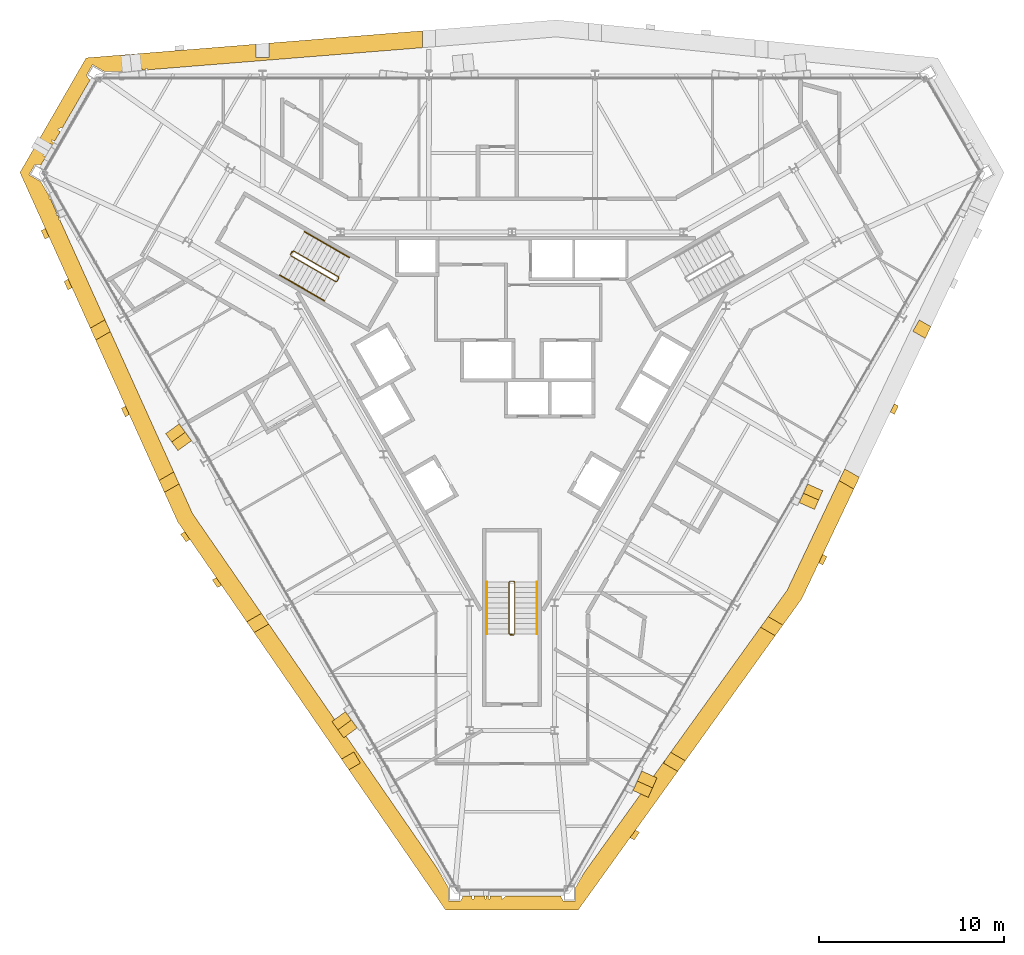
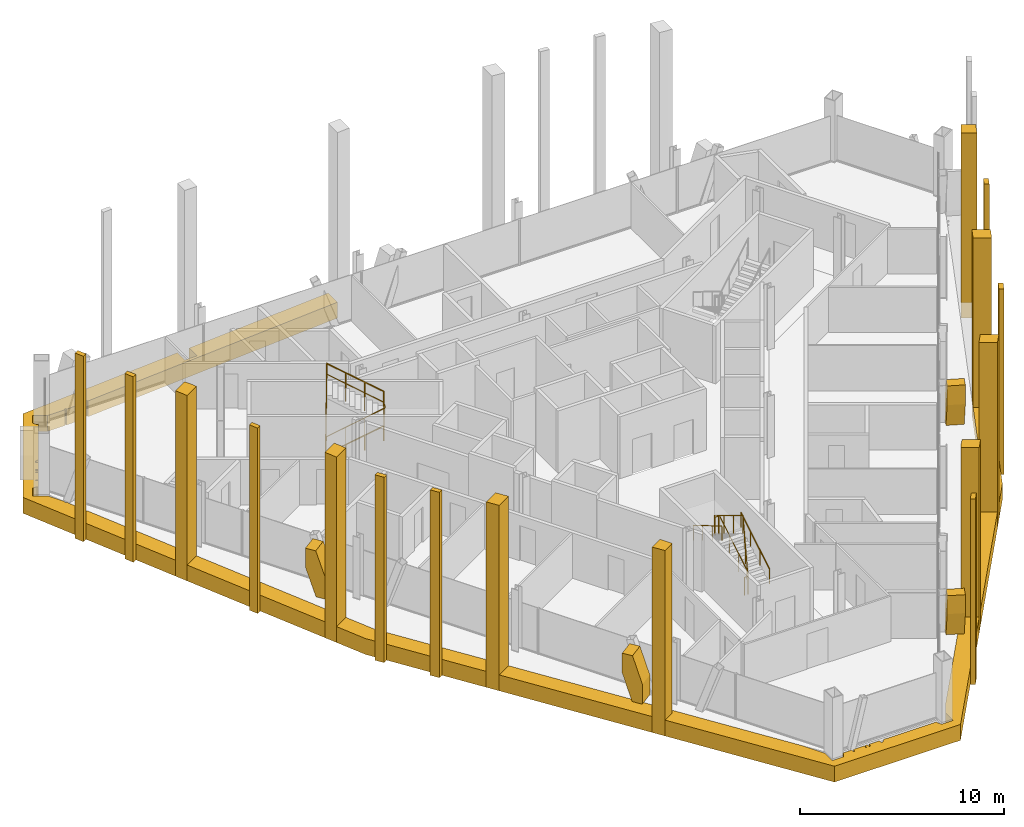
# One storey, part 15 of 16: 26 coverings, 6 railings.
"""IFC4 building model written with IfcOpenShell, lengths in metres."""

from ifc_helpers import new_model, si_unit, direction, frame, origin, origin_2d, place, context, subcontext, project, spatial, polyline, circle, outline, extrude, material, layer, layer_set, type_object, element, save


model = new_model("IFC4")

# Units and contexts
model_context = context("Model", 3, precision=1e-05, world=origin(), true_north=direction((0.0, 1.0)))
body_context = subcontext(model_context, "Body", "Model", "MODEL_VIEW")
ifc_project = project(units=[si_unit("LENGTHUNIT", "METRE"), si_unit("AREAUNIT", "SQUARE_METRE"), si_unit("VOLUMEUNIT", "CUBIC_METRE"), si_unit("PLANEANGLEUNIT", "RADIAN"), si_unit("MASSUNIT", "GRAM", prefix="KILO")], contexts=[model_context])

# Site, building, storey
site_placement = place(None, origin())
site = spatial("IfcSite", under=ifc_project, at=site_placement, CompositionType="ELEMENT")
building_placement = place(site_placement, origin())
building = spatial("IfcBuilding", under=site, at=building_placement, Name="Verrane Prism Tower", CompositionType="ELEMENT")
storey_placement = place(building_placement, frame((0.0, 0.0, 236.0)))
storey = spatial("IfcBuildingStorey", under=building, at=storey_placement, Name="L59", CompositionType="ELEMENT", Elevation=236.0)

# Railings
ifc_material_1 = material(Name="Steel A36 rail and posts, no infill", Category="steel")
railing_type_1 = type_object("IfcRailingType", Name="Stair guard 1100 steel rail and posts", PredefinedType="GUARDRAIL", material=ifc_material_1)
railing_1_placement = place(storey_placement, frame((-11.939453125, 6.72021484375, 0.168212890625)))
element("IfcRailing", 1, at=railing_1_placement, inside=storey, type_object=railing_type_1, Name="Stair 2 guard", PredefinedType="GUARDRAIL", context=body_context, shape_type="SweptSolid", body=[
    extrude(circle(Radius=0.02392578125, at=origin_2d()), frame((0.0, 0.0, 1.076171875), z_axis=(0.742366697286, -0.42866220388, 0.514917859203), x_axis=(0.500049511043, 0.865996816683, 0.0)), (0.0, 0.0, 1.0), 3.266357421875),
    extrude(circle(Radius=0.02392578125, at=origin_2d()), frame((2.4248046875, -1.400146484375, 2.7578125), z_axis=(0.965948051503, 0.258736085224, 0.0), x_axis=(-0.258736085224, 0.965948051503, 0.0)), (0.0, 0.0, 1.0), 0.07080078125),
    extrude(circle(Radius=0.02392578125, at=origin_2d()), frame((2.4931640625, -1.3818359375, 2.7578125), z_axis=(0.499158860599, 0.866510491504, 0.0), x_axis=(-0.866510491504, 0.499158860599, 0.0)), (0.0, 0.0, 1.0), 0.199951171875),
    extrude(circle(Radius=0.02392578125, at=origin_2d()), frame((2.593017578125, -1.20849609375, 2.7578125), z_axis=(-0.10050964758, 0.373895888998, 0.922008500467), x_axis=(-0.965715946433, -0.259601060869, 0.0)), (0.0, 0.0, 1.0), 0.18212890625),
    extrude(circle(Radius=0.02392578125, at=origin_2d()), frame((2.57470703125, -1.140380859375, 2.92578125), z_axis=(-0.742366697286, 0.42866220388, 0.514917859203), x_axis=(-0.500049511043, -0.865996816683, 0.0)), (0.0, 0.0, 1.0), 3.266357421875),
    extrude(circle(Radius=0.02392578125, at=origin_2d()), frame((0.14990234375, 0.259765625, 4.60791015625), z_axis=(-0.04535595117, -0.051675503147, -0.99763343973), x_axis=(0.751567565678, -0.659656118156, 0.0)), (0.0, 0.0, 1.0), 3.708740234375),
    extrude(circle(Radius=0.02392578125, at=origin_2d()), frame((-0.018310546875, 0.068115234375, 0.90771484375), z_axis=(0.499158860599, 0.866510491504, 0.0), x_axis=(-0.866510491504, 0.499158860599, 0.0)), (0.0, 0.0, 1.0), 0.199951171875),
    extrude(circle(Radius=0.02099609375, at=origin_2d()), origin(), (0.0, 0.0, 1.0), 1.052001953125),
    extrude(circle(Radius=0.02099609375, at=origin_2d()), frame((0.808349609375, -0.466796875, 0.560546875)), (0.0, 0.0, 1.0), 1.052001953125),
    extrude(circle(Radius=0.02099609375, at=origin_2d()), frame((1.616455078125, -0.933349609375, 1.121337890625)), (0.0, 0.0, 1.0), 1.052001953125),
    extrude(circle(Radius=0.02099609375, at=origin_2d()), frame((2.4248046875, -1.400146484375, 1.681884765625)), (0.0, 0.0, 1.0), 1.052001953125),
    extrude(circle(Radius=0.02099609375, at=origin_2d()), frame((2.4931640625, -1.3818359375, 1.681884765625)), (0.0, 0.0, 1.0), 1.052001953125),
    extrude(circle(Radius=0.02099609375, at=origin_2d()), frame((2.593017578125, -1.20849609375, 1.681884765625)), (0.0, 0.0, 1.0), 1.052001953125),
    extrude(circle(Radius=0.02099609375, at=origin_2d()), frame((2.57470703125, -1.140380859375, 1.849853515625)), (0.0, 0.0, 1.0), 1.052001953125),
    extrude(circle(Radius=0.02099609375, at=origin_2d()), frame((1.766357421875, -0.673583984375, 2.410400390625)), (0.0, 0.0, 1.0), 1.052001953125),
    extrude(circle(Radius=0.02099609375, at=origin_2d()), frame((0.958251953125, -0.20703125, 2.97119140625)), (0.0, 0.0, 1.0), 1.052001953125),
    extrude(circle(Radius=0.02099609375, at=origin_2d()), frame((0.14990234375, 0.259765625, 3.53173828125)), (0.0, 0.0, 1.0), 1.052001953125),
    extrude(circle(Radius=0.02099609375, at=origin_2d()), frame((0.10791015625, 0.2119140625, 2.606689453125)), (0.0, 0.0, 1.0), 1.052001953125),
    extrude(circle(Radius=0.02099609375, at=origin_2d()), frame((0.06591796875, 0.1640625, 1.681640625)), (0.0, 0.0, 1.0), 1.052001953125),
    extrude(circle(Radius=0.02099609375, at=origin_2d()), frame((0.023681640625, 0.115966796875, 0.7568359375)), (0.0, 0.0, 1.0), 1.052001953125),
    extrude(circle(Radius=0.02099609375, at=origin_2d()), frame((-0.018310546875, 0.068115234375, -0.168212890625)), (0.0, 0.0, 1.0), 1.052001953125),
    extrude(circle(Radius=0.02099609375, at=origin_2d()), frame((0.08154296875, 0.241455078125, -0.168212890625)), (0.0, 0.0, 1.0), 1.052001953125),
])
railing_2_placement = place(storey_placement, frame((0.14990234375, -13.699951171875, 0.168212890625)))
element("IfcRailing", 2, at=railing_2_placement, inside=storey, type_object=railing_type_1, Name="Stair 3 guard", PredefinedType="GUARDRAIL", context=body_context, shape_type="SweptSolid", body=[
    extrude(circle(Radius=0.02392578125, at=origin_2d()), frame((0.0, 0.0, 1.076171875), z_axis=(0.0, 0.857242210791, 0.514913383045), x_axis=(-1.0, 0.0, 0.0)), (0.0, 0.0, 1.0), 3.266357421875),
    extrude(circle(Radius=0.02392578125, at=origin_2d()), frame((0.0, 2.800048828125, 2.7578125), z_axis=(-0.707106781187, 0.707106781187, 0.0), x_axis=(-0.707106781187, -0.707106781187, 0.0)), (0.0, 0.0, 1.0), 0.0703125),
    extrude(circle(Radius=0.02392578125, at=origin_2d()), frame((-0.0498046875, 2.849853515625, 2.7578125), z_axis=(-1.0, 0.0, 0.0), x_axis=(0.0, -1.0, 0.0)), (0.0, 0.0, 1.0), 0.2001953125),
    extrude(circle(Radius=0.02392578125, at=origin_2d()), frame((-0.25, 2.849853515625, 2.7578125), z_axis=(-0.273443704961, -0.273443704961, 0.922202299083), x_axis=(0.707106781187, -0.707106781187, 0.0)), (0.0, 0.0, 1.0), 0.18212890625),
    extrude(circle(Radius=0.02392578125, at=origin_2d()), frame((-0.2998046875, 2.800048828125, 2.92578125), z_axis=(0.0, -0.857242210791, 0.514913383045), x_axis=(1.0, 0.0, 0.0)), (0.0, 0.0, 1.0), 3.266357421875),
    extrude(circle(Radius=0.02392578125, at=origin_2d()), frame((-0.2998046875, 0.0, 4.60791015625), z_axis=(0.067408604812, -0.013494886706, -0.997634185476), x_axis=(0.196300278283, 0.98054382908, 0.0)), (0.0, 0.0, 1.0), 3.708740234375),
    extrude(circle(Radius=0.02392578125, at=origin_2d()), frame((-0.0498046875, -0.050048828125, 0.90771484375), z_axis=(-1.0, 0.0, 0.0), x_axis=(0.0, -1.0, 0.0)), (0.0, 0.0, 1.0), 0.2001953125),
    extrude(circle(Radius=0.02099609375, at=origin_2d()), origin(), (0.0, 0.0, 1.0), 1.052001953125),
    extrude(circle(Radius=0.02099609375, at=origin_2d()), frame((0.0, 0.933349609375, 0.560546875)), (0.0, 0.0, 1.0), 1.052001953125),
    extrude(circle(Radius=0.02099609375, at=origin_2d()), frame((0.0, 1.86669921875, 1.121337890625)), (0.0, 0.0, 1.0), 1.052001953125),
    extrude(circle(Radius=0.02099609375, at=origin_2d()), frame((0.0, 2.800048828125, 1.681884765625)), (0.0, 0.0, 1.0), 1.052001953125),
    extrude(circle(Radius=0.02099609375, at=origin_2d()), frame((-0.0498046875, 2.849853515625, 1.681884765625)), (0.0, 0.0, 1.0), 1.052001953125),
    extrude(circle(Radius=0.02099609375, at=origin_2d()), frame((-0.25, 2.849853515625, 1.681884765625)), (0.0, 0.0, 1.0), 1.052001953125),
    extrude(circle(Radius=0.02099609375, at=origin_2d()), frame((-0.2998046875, 2.800048828125, 1.849853515625)), (0.0, 0.0, 1.0), 1.052001953125),
    extrude(circle(Radius=0.02099609375, at=origin_2d()), frame((-0.2998046875, 1.86669921875, 2.410400390625)), (0.0, 0.0, 1.0), 1.052001953125),
    extrude(circle(Radius=0.02099609375, at=origin_2d()), frame((-0.2998046875, 0.933349609375, 2.97119140625)), (0.0, 0.0, 1.0), 1.052001953125),
    extrude(circle(Radius=0.02099609375, at=origin_2d()), frame((-0.2998046875, 0.0, 3.53173828125)), (0.0, 0.0, 1.0), 1.052001953125),
    extrude(circle(Radius=0.02099609375, at=origin_2d()), frame((-0.2373046875, -0.012451171875, 2.606689453125)), (0.0, 0.0, 1.0), 1.052001953125),
    extrude(circle(Radius=0.02099609375, at=origin_2d()), frame((-0.1748046875, -0.02490234375, 1.681640625)), (0.0, 0.0, 1.0), 1.052001953125),
    extrude(circle(Radius=0.02099609375, at=origin_2d()), frame((-0.1123046875, -0.03759765625, 0.7568359375)), (0.0, 0.0, 1.0), 1.052001953125),
    extrude(circle(Radius=0.02099609375, at=origin_2d()), frame((-0.0498046875, -0.050048828125, -0.168212890625)), (0.0, 0.0, 1.0), 1.052001953125),
    extrude(circle(Radius=0.02099609375, at=origin_2d()), frame((-0.25, -0.050048828125, -0.168212890625)), (0.0, 0.0, 1.0), 1.052001953125),
])
ifc_material_2 = material(Name="Steel A36 tube", Category="steel")
railing_type_2 = type_object("IfcRailingType", Name="Stair handrail 900 steel tube", PredefinedType="HANDRAIL", material=ifc_material_2)
railing_3_placement = place(storey_placement, frame((-12.53955078125, 5.680908203125, 0.168212890625)))
element("IfcRailing", 3, at=railing_3_placement, inside=storey, type_object=railing_type_2, Name="Stair 2 handrail", PredefinedType="HANDRAIL", context=body_context, shape_type="SweptSolid", body=[
    extrude(circle(Radius=0.02392578125, at=origin_2d()), frame((0.0, 0.0, 0.8759765625), z_axis=(0.742366697286, -0.42866220388, 0.514917859203), x_axis=(0.500049511043, 0.865996816683, 0.0)), (0.0, 0.0, 1.0), 3.266357421875),
    extrude(circle(Radius=0.02099609375, at=origin_2d()), origin(), (0.0, 0.0, 1.0), 0.851806640625),
    extrude(circle(Radius=0.02099609375, at=origin_2d()), frame((0.808349609375, -0.466796875, 0.560546875)), (0.0, 0.0, 1.0), 0.851806640625),
    extrude(circle(Radius=0.02099609375, at=origin_2d()), frame((1.616455078125, -0.933349609375, 1.121337890625)), (0.0, 0.0, 1.0), 0.851806640625),
    extrude(circle(Radius=0.02099609375, at=origin_2d()), frame((2.4248046875, -1.400146484375, 1.681884765625)), (0.0, 0.0, 1.0), 0.851806640625),
])
railing_4_placement = place(storey_placement, frame((-8.7646484375, 6.619140625, 2.01806640625)))
element("IfcRailing", 4, at=railing_4_placement, inside=storey, type_object=railing_type_2, Name="Stair 2 handrail", PredefinedType="HANDRAIL", context=body_context, shape_type="SweptSolid", body=[
    extrude(circle(Radius=0.02392578125, at=origin_2d()), frame((0.0, 0.0, 0.8759765625), z_axis=(-0.742390482028, 0.42860119049, 0.514934356695), x_axis=(-0.49998411664, -0.866034573852, 0.0)), (0.0, 0.0, 1.0), 3.26611328125),
    extrude(circle(Radius=0.02099609375, at=origin_2d()), origin(), (0.0, 0.0, 1.0), 0.851806640625),
    extrude(circle(Radius=0.02099609375, at=origin_2d()), frame((-0.808349609375, 0.466552734375, 0.560546875)), (0.0, 0.0, 1.0), 0.851806640625),
    extrude(circle(Radius=0.02099609375, at=origin_2d()), frame((-1.616455078125, 0.933349609375, 1.121337890625)), (0.0, 0.0, 1.0), 0.851806640625),
    extrude(circle(Radius=0.02099609375, at=origin_2d()), frame((-2.4248046875, 1.39990234375, 1.681884765625)), (0.0, 0.0, 1.0), 0.851806640625),
])
railing_5_placement = place(storey_placement, frame((1.35009765625, -13.699951171875, 0.168212890625)))
element("IfcRailing", 5, at=railing_5_placement, inside=storey, type_object=railing_type_2, Name="Stair 3 handrail", PredefinedType="HANDRAIL", context=body_context, shape_type="SweptSolid", body=[
    extrude(circle(Radius=0.02392578125, at=origin_2d()), frame((0.0, 0.0, 0.8759765625), z_axis=(0.0, 0.857242210791, 0.514913383045), x_axis=(-1.0, 0.0, 0.0)), (0.0, 0.0, 1.0), 3.266357421875),
    extrude(circle(Radius=0.02099609375, at=origin_2d()), origin(), (0.0, 0.0, 1.0), 0.851806640625),
    extrude(circle(Radius=0.02099609375, at=origin_2d()), frame((0.0, 0.933349609375, 0.560546875)), (0.0, 0.0, 1.0), 0.851806640625),
    extrude(circle(Radius=0.02099609375, at=origin_2d()), frame((0.0, 1.86669921875, 1.121337890625)), (0.0, 0.0, 1.0), 0.851806640625),
    extrude(circle(Radius=0.02099609375, at=origin_2d()), frame((0.0, 2.800048828125, 1.681884765625)), (0.0, 0.0, 1.0), 0.851806640625),
])
railing_6_placement = place(storey_placement, frame((-1.35009765625, -10.89990234375, 2.01806640625)))
element("IfcRailing", 6, at=railing_6_placement, inside=storey, type_object=railing_type_2, Name="Stair 3 handrail", PredefinedType="HANDRAIL", context=body_context, shape_type="SweptSolid", body=[
    extrude(circle(Radius=0.02392578125, at=origin_2d()), frame((0.0, 0.0, 0.8759765625), z_axis=(0.0, -0.857242210791, 0.514913383045), x_axis=(1.0, 0.0, 0.0)), (0.0, 0.0, 1.0), 3.266357421875),
    extrude(circle(Radius=0.02099609375, at=origin_2d()), origin(), (0.0, 0.0, 1.0), 0.851806640625),
    extrude(circle(Radius=0.02099609375, at=origin_2d()), frame((0.0, -0.933349609375, 0.560546875)), (0.0, 0.0, 1.0), 0.851806640625),
    extrude(circle(Radius=0.02099609375, at=origin_2d()), frame((0.0, -1.86669921875, 1.121337890625)), (0.0, 0.0, 1.0), 0.851806640625),
    extrude(circle(Radius=0.02099609375, at=origin_2d()), frame((0.0, -2.800048828125, 1.681884765625)), (0.0, 0.0, 1.0), 0.851806640625),
])

# Coverings
ifc_material_3 = material(Name="Warm limestone cladding", Category="masonry")
ifc_layer_1 = layer(ifc_material_3, 0.89990234375)
ifc_layer_set_1 = layer_set([ifc_layer_1], Name="Stone brace fin 900")
covering_type_1 = type_object("IfcCoveringType", Name="Stone brace fin 900", PredefinedType="CLADDING", material=ifc_layer_set_1)
covering_1_placement = place(storey_placement, frame((-17.665771484375, -3.53369140625, 0.0), z_axis=(0.0, 0.0, 1.0), x_axis=(-0.586485343369, 0.809959839754, 0.0)))
element("IfcCovering", 7, at=covering_1_placement, inside=storey, type_object=covering_type_1, Name="Stone brace fin SW2 L59", PredefinedType="CLADDING", context=body_context, shape_type="SweptSolid", body=[
    extrude(outline(polyline([(1.12841796875, 2.75), (0.5703125, 2.75), (0.0, 1.135009765625), (0.0, 0.0), (0.5537109375, 0.0), (1.12841796875, 1.6279296875), (1.12841796875, 2.75)])), frame((0.0, 0.449951171875, 0.0), z_axis=(0.0, -1.0, 0.0), x_axis=(1.0, 0.0, 0.0)), (0.0, 0.0, 1.0), 0.89990234375),
])
covering_2_placement = place(storey_placement, frame((-8.717529296875, -19.032470703125, 0.0), z_axis=(0.0, 0.0, 1.0), x_axis=(-0.589552626958, 0.807729967283, 0.0)))
element("IfcCovering", 8, at=covering_2_placement, inside=storey, type_object=covering_type_1, Name="Stone brace fin SW4 L59", PredefinedType="CLADDING", context=body_context, shape_type="SweptSolid", body=[
    extrude(outline(polyline([(1.08203125, 2.75), (0.529296875, 2.75), (0.0, 1.1865234375), (0.0, 0.0), (0.548583984375, 0.0), (1.08203125, 1.576171875), (1.08203125, 2.75)])), frame((0.0, 0.449951171875, 0.0), z_axis=(0.0, -1.0, 0.0), x_axis=(1.0, 0.0, 0.0)), (0.0, 0.0, 1.0), 0.89990234375),
])
covering_3_placement = place(storey_placement, frame((7.420166015625, -21.280517578125, 0.0), z_axis=(0.0, 0.0, 1.0), x_axis=(-0.410347032736, -0.911929445036, 0.0)))
element("IfcCovering", 9, at=covering_3_placement, inside=storey, type_object=covering_type_1, Name="Stone brace fin SE1 L59", PredefinedType="CLADDING", context=body_context, shape_type="SweptSolid", body=[
    extrude(outline(polyline([(1.150634765625, 2.75), (0.58984375, 2.75), (0.0, 1.11181640625), (0.0, 0.0), (0.556396484375, 0.0), (1.150634765625, 1.651123046875), (1.150634765625, 2.75)])), frame((0.0, 0.449951171875, 0.0), z_axis=(0.0, -1.0, 0.0), x_axis=(1.0, 0.0, 0.0)), (0.0, 0.0, 1.0), 0.89990234375),
])
covering_4_placement = place(storey_placement, frame((16.366943359375, -5.781494140625, 0.0), z_axis=(0.0, 0.0, 1.0), x_axis=(-0.406999327354, -0.913428457808, 0.0)))
element("IfcCovering", 10, at=covering_4_placement, inside=storey, type_object=covering_type_1, Name="Stone brace fin SE3 L59", PredefinedType="CLADDING", context=body_context, shape_type="SweptSolid", body=[
    extrude(outline(polyline([(1.10498046875, 2.75), (0.549560546875, 2.75), (0.0, 1.160400390625), (0.0, 0.0), (0.551025390625, 0.0), (1.10498046875, 1.602294921875), (1.10498046875, 2.75)])), frame((0.0, 0.449951171875, 0.0), z_axis=(0.0, -1.0, 0.0), x_axis=(1.0, 0.0, 0.0)), (0.0, 0.0, 1.0), 0.89990234375),
])
ifc_material_4 = material(Name="Warm limestone cladding", Category="masonry")
covering_type_2 = type_object("IfcCoveringType", Name="Stone mullion pier 500", PredefinedType="CLADDING", material=ifc_material_4)
covering_5_placement = place(storey_placement, frame((0.0, 0.0, -0.949951171875)))
element("IfcCovering", 11, at=covering_5_placement, inside=storey, type_object=covering_type_2, Name="Stone pier SM-SW0.1 L59-L61", PredefinedType="CLADDING", context=body_context, shape_type="SweptSolid", body=[
    extrude(outline(polyline([(-24.983154296875, 7.73681640625), (-25.18994140625, 8.194580078125), (-25.40771484375, 8.069091796875), (-25.20068359375, 7.611083984375), (-24.983154296875, 7.73681640625)])), origin(), (0.0, 0.0, 1.0), 11.099853515625),
])
covering_6_placement = place(storey_placement, frame((0.0, 0.0, -0.949951171875)))
element("IfcCovering", 12, at=covering_6_placement, inside=storey, type_object=covering_type_2, Name="Stone pier SM-SW0.2 L59-L61", PredefinedType="CLADDING", context=body_context, shape_type="SweptSolid", body=[
    extrude(outline(polyline([(-23.74609375, 4.997314453125), (-23.952880859375, 5.455078125), (-24.170654296875, 5.32958984375), (-23.9638671875, 4.87158203125), (-23.74609375, 4.997314453125)])), origin(), (0.0, 0.0, 1.0), 11.099853515625),
])
covering_7_placement = place(storey_placement, frame((0.0, 0.0, -0.949951171875)))
element("IfcCovering", 13, at=covering_7_placement, inside=storey, type_object=covering_type_2, Name="Stone pier SM-SW1.1 L59-L61", PredefinedType="CLADDING", context=body_context, shape_type="SweptSolid", body=[
    extrude(outline(polyline([(-20.65380859375, -1.851806640625), (-20.860595703125, -1.393798828125), (-21.078125, -1.519287109375), (-20.871337890625, -1.977294921875), (-20.65380859375, -1.851806640625)])), origin(), (0.0, 0.0, 1.0), 11.099853515625),
])
covering_8_placement = place(storey_placement, frame((0.0, 0.0, -0.949951171875)))
element("IfcCovering", 14, at=covering_8_placement, inside=storey, type_object=covering_type_2, Name="Stone pier SM-SW2.1 L59-L61", PredefinedType="CLADDING", context=body_context, shape_type="SweptSolid", body=[
    extrude(outline(polyline([(-17.380615234375, -8.596435546875), (-17.66552734375, -8.18359375), (-17.8828125, -8.30908203125), (-17.597900390625, -8.721923828125), (-17.380615234375, -8.596435546875)])), origin(), (0.0, 0.0, 1.0), 11.099853515625),
])
covering_9_placement = place(storey_placement, frame((0.0, 0.0, -0.949951171875)))
element("IfcCovering", 15, at=covering_9_placement, inside=storey, type_object=covering_type_2, Name="Stone pier SM-SW2.2 L59-L61", PredefinedType="CLADDING", context=body_context, shape_type="SweptSolid", body=[
    extrude(outline(polyline([(-15.676513671875, -11.06640625), (-15.961181640625, -10.653564453125), (-16.178466796875, -10.77880859375), (-15.8935546875, -11.19189453125), (-15.676513671875, -11.06640625)])), origin(), (0.0, 0.0, 1.0), 11.099853515625),
])
covering_10_placement = place(storey_placement, frame((0.0, 0.0, -0.949951171875)))
element("IfcCovering", 16, at=covering_10_placement, inside=storey, type_object=covering_type_2, Name="Stone pier SM-SE0.1 L59-L61", PredefinedType="CLADDING", context=body_context, shape_type="SweptSolid", body=[
    extrude(outline(polyline([(6.66845703125, -24.283935546875), (6.375244140625, -24.69189453125), (6.593017578125, -24.817626953125), (6.885986328125, -24.409423828125), (6.66845703125, -24.283935546875)])), origin(), (0.0, 0.0, 1.0), 11.099853515625),
])
covering_11_placement = place(storey_placement, frame((0.0, 0.0, -0.949951171875)))
element("IfcCovering", 17, at=covering_11_placement, inside=storey, type_object=covering_type_2, Name="Stone pier SM-SE2.1 L59-L61", PredefinedType="CLADDING", context=body_context, shape_type="SweptSolid", body=[
    extrude(outline(polyline([(16.778564453125, -9.3984375), (16.5634765625, -9.8515625), (16.780517578125, -9.97705078125), (16.99560546875, -9.523681640625), (16.778564453125, -9.3984375)])), origin(), (0.0, 0.0, 1.0), 11.099853515625),
])
covering_12_placement = place(storey_placement, frame((0.0, 0.0, -0.949951171875)))
element("IfcCovering", 18, at=covering_12_placement, inside=storey, type_object=covering_type_2, Name="Stone pier SM-SE3.1 L59-L61", PredefinedType="CLADDING", context=body_context, shape_type="SweptSolid", body=[
    extrude(outline(polyline([(20.63916015625, -1.26611328125), (20.423828125, -1.718994140625), (20.64111328125, -1.844482421875), (20.856201171875, -1.391357421875), (20.63916015625, -1.26611328125)])), origin(), (0.0, 0.0, 1.0), 11.099853515625),
])
ifc_material_5 = material(Name="Warm limestone cladding", Category="masonry")
covering_type_3 = type_object("IfcCoveringType", Name="Stone pier 700", PredefinedType="CLADDING", material=ifc_material_5)
covering_13_placement = place(storey_placement, frame((0.0, 0.0, -0.949951171875)))
element("IfcCovering", 19, at=covering_13_placement, inside=storey, type_object=covering_type_3, Name="Stone pier PC-SW1 L59-L61", PredefinedType="CLADDING", context=body_context, shape_type="SweptSolid", body=[
    extrude(outline(polyline([(-21.858642578125, 3.027587890625), (-21.9296875, 3.150634765625), (-21.98779296875, 3.251220703125), (-22.75732421875, 2.806884765625), (-22.4677734375, 2.166015625), (-21.676025390625, 2.623046875), (-21.858642578125, 3.027587890625)])), origin(), (0.0, 0.0, 1.0), 11.099853515625),
])
covering_14_placement = place(storey_placement, frame((0.0, 0.0, -0.949951171875)))
element("IfcCovering", 20, at=covering_14_placement, inside=storey, type_object=covering_type_3, Name="Stone pier PC-SW2 L59-L61", PredefinedType="CLADDING", context=body_context, shape_type="SweptSolid", body=[
    extrude(outline(polyline([(-18.7568359375, -6.052734375), (-17.965087890625, -5.595703125), (-18.25439453125, -4.954345703125), (-19.04638671875, -5.41162109375), (-18.7568359375, -6.052734375)])), origin(), (0.0, 0.0, 1.0), 11.099853515625),
])
covering_15_placement = place(storey_placement, frame((0.0, 0.0, -0.949951171875)))
element("IfcCovering", 21, at=covering_15_placement, inside=storey, type_object=covering_type_3, Name="Stone pier PC-SW3 L59-L61", PredefinedType="CLADDING", context=body_context, shape_type="SweptSolid", body=[
    extrude(outline(polyline([(-13.915283203125, -13.618896484375), (-13.124755859375, -13.162353515625), (-13.523681640625, -12.58447265625), (-14.314208984375, -13.040771484375), (-13.915283203125, -13.618896484375)])), origin(), (0.0, 0.0, 1.0), 11.099853515625),
])
covering_16_placement = place(storey_placement, frame((0.0, 0.0, -0.949951171875)))
element("IfcCovering", 22, at=covering_16_placement, inside=storey, type_object=covering_type_3, Name="Stone pier PC-SW4 L59-L61", PredefinedType="CLADDING", context=body_context, shape_type="SweptSolid", body=[
    extrude(outline(polyline([(-8.181884765625, -20.669677734375), (-8.338134765625, -20.39892578125), (-8.53173828125, -20.0634765625), (-9.201416015625, -20.4501953125), (-8.802734375, -21.0283203125), (-8.181884765625, -20.669677734375)])), origin(), (0.0, 0.0, 1.0), 11.099853515625),
])
covering_17_placement = place(storey_placement, frame((0.0, 0.0, -0.949951171875)))
element("IfcCovering", 23, at=covering_17_placement, inside=storey, type_object=covering_type_3, Name="Stone pier PC-SE1 L59-L61", PredefinedType="CLADDING", context=body_context, shape_type="SweptSolid", body=[
    extrude(outline(polyline([(8.33154296875, -20.410400390625), (8.26904296875, -20.5185546875), (8.181884765625, -20.669677734375), (8.94775390625, -21.112060546875), (9.358154296875, -20.540771484375), (8.56640625, -20.08349609375), (8.33154296875, -20.410400390625)])), origin(), (0.0, 0.0, 1.0), 11.099853515625),
])
covering_18_placement = place(storey_placement, frame((0.0, 0.0, -0.949951171875)))
element("IfcCovering", 24, at=covering_18_placement, inside=storey, type_object=covering_type_3, Name="Stone pier PC-SE2 L59-L61", PredefinedType="CLADDING", context=body_context, shape_type="SweptSolid", body=[
    extrude(outline(polyline([(14.620361328125, -13.217529296875), (13.828369140625, -12.760498046875), (13.41796875, -13.331787109375), (14.209716796875, -13.788818359375), (14.620361328125, -13.217529296875)])), origin(), (0.0, 0.0, 1.0), 11.099853515625),
])
covering_19_placement = place(storey_placement, frame((0.0, 0.0, -0.949951171875)))
element("IfcCovering", 25, at=covering_19_placement, inside=storey, type_object=covering_type_3, Name="Stone pier PC-SE3 L59-L61", PredefinedType="CLADDING", context=body_context, shape_type="SweptSolid", body=[
    extrude(outline(polyline([(18.751708984375, -5.241455078125), (17.961181640625, -4.78515625), (17.66015625, -5.419677734375), (18.45068359375, -5.8759765625), (18.751708984375, -5.241455078125)])), origin(), (0.0, 0.0, 1.0), 11.099853515625),
])
covering_20_placement = place(storey_placement, frame((0.0, 0.0, -0.949951171875)))
element("IfcCovering", 26, at=covering_20_placement, inside=storey, type_object=covering_type_3, Name="Stone pier PC-SE4 L59-L61", PredefinedType="CLADDING", context=body_context, shape_type="SweptSolid", body=[
    extrude(outline(polyline([(21.98779296875, 3.251220703125), (21.6376953125, 2.64501953125), (22.31103515625, 2.25634765625), (22.6123046875, 2.890869140625), (21.98779296875, 3.251220703125)])), origin(), (0.0, 0.0, 1.0), 11.099853515625),
])
ifc_material_6 = material(Name="Warm limestone cladding", Category="masonry")
ifc_layer_2 = layer(ifc_material_6, 0.449951171875)
ifc_layer_set_2 = layer_set([ifc_layer_2], Name="Stone spandrel band 450")
covering_type_4 = type_object("IfcCoveringType", Name="Stone spandrel band 450", PredefinedType="CLADDING", material=ifc_layer_set_2)
covering_21_placement = place(storey_placement, frame((0.0, 0.0, -0.949951171875)))
element("IfcCovering", 27, at=covering_21_placement, inside=storey, type_object=covering_type_4, Name="Stone spandrel band L59 part 1", PredefinedType="CLADDING", context=body_context, shape_type="SweptSolid", body=[
    extrude(outline(polyline([(3.565673828125, -28.602294921875), (8.94775390625, -21.112060546875), (8.181884765625, -20.669677734375), (8.293701171875, -20.475830078125), (8.287353515625, -20.4716796875), (3.882568359375, -26.601806640625), (3.429931640625, -27.3857421875), (3.429931640625, -28.1201171875), (2.77001953125, -28.1201171875), (2.77001953125, -28.09814453125), (2.6591796875, -27.908935546875), (2.6591796875, -27.82568359375), (-0.33203125, -27.82568359375), (-0.47900390625, -27.991943359375), (-0.513671875, -27.961181640625), (-0.513671875, -27.989990234375), (-0.565185546875, -27.989990234375), (-0.565185546875, -27.91552734375), (-0.566162109375, -27.914794921875), (-0.565185546875, -27.913818359375), (-0.565185546875, -27.82568359375), (-1.17578125, -27.82568359375), (-1.17578125, -27.989990234375), (-1.2578125, -27.989990234375), (-1.2578125, -27.82568359375), (-1.3994140625, -27.82568359375), (-1.3994140625, -27.989990234375), (-1.450927734375, -27.989990234375), (-1.450927734375, -27.82568359375), (-2.0615234375, -27.82568359375), (-2.0615234375, -27.989990234375), (-2.1435546875, -27.989990234375), (-2.1435546875, -27.82568359375), (-2.48681640625, -27.82568359375), (-2.511962890625, -27.84033203125), (-2.5205078125, -27.82568359375), (-2.6591796875, -27.82568359375), (-2.6591796875, -27.908935546875), (-2.77001953125, -28.09814453125), (-2.77001953125, -28.1201171875), (-3.429931640625, -28.1201171875), (-3.429931640625, -27.3857421875), (-4.0419921875, -26.32568359375), (-13.124755859375, -13.162353515625), (-13.915283203125, -13.618896484375), (-9.201416015625, -20.4501953125), (-8.53173828125, -20.0634765625), (-8.181884765625, -20.669677734375), (-8.802734375, -21.0283203125), (-3.57666015625, -28.602294921875), (3.565673828125, -28.602294921875)])), origin(), (0.0, 0.0, 1.0), 0.949951171875),
])
covering_22_placement = place(storey_placement, frame((0.0, 0.0, -0.949951171875)))
element("IfcCovering", 28, at=covering_22_placement, inside=storey, type_object=covering_type_4, Name="Stone spandrel band L59 part 3", PredefinedType="CLADDING", context=body_context, shape_type="SweptSolid", body=[
    extrude(outline(polyline([(-21.98779296875, 3.251220703125), (-21.896484375, 3.093017578125), (-21.889892578125, 3.096435546875), (-24.389404296875, 8.63232421875), (-24.41162109375, 8.61962890625), (-24.46630859375, 8.714599609375), (-24.434814453125, 8.73291015625), (-24.51611328125, 8.9130859375), (-24.566162109375, 8.891357421875), (-24.610107421875, 8.9912109375), (-24.56103515625, 9.0126953125), (-24.90869140625, 9.78271484375), (-24.949462890625, 9.764892578125), (-24.99169921875, 9.86083984375), (-24.951904296875, 9.878173828125), (-24.979248046875, 9.938720703125), (-25.431640625, 10.72216796875), (-26.0673828125, 11.089111328125), (-25.7373046875, 11.660888671875), (-25.718505859375, 11.64990234375), (-25.49951171875, 11.64990234375), (-25.427978515625, 11.608642578125), (-25.358154296875, 11.729736328125), (-25.366943359375, 11.7451171875), (-25.3408203125, 11.760009765625), (-25.16943359375, 12.056396484375), (-25.3115234375, 12.138427734375), (-25.2705078125, 12.20947265625), (-25.12841796875, 12.127685546875), (-24.8232421875, 12.65625), (-24.96533203125, 12.73828125), (-24.939453125, 12.782958984375), (-24.797607421875, 12.700927734375), (-24.726806640625, 12.823486328125), (-24.86865234375, 12.905517578125), (-24.82763671875, 12.9765625), (-24.685791015625, 12.89453125), (-24.38037109375, 13.42333984375), (-24.455078125, 13.466552734375), (-24.45751953125, 13.466064453125), (-24.4580078125, 13.46826171875), (-24.5224609375, 13.50537109375), (-24.49658203125, 13.550048828125), (-24.471923828125, 13.535888671875), (-24.481201171875, 13.580322265625), (-24.263916015625, 13.625), (-22.767578125, 16.217041015625), (-22.84033203125, 16.259033203125), (-22.948486328125, 16.4482421875), (-22.96728515625, 16.459228515625), (-22.637451171875, 17.03076171875), (-22.0009765625, 16.663330078125), (-21.03076171875, 16.663330078125), (-21.0361328125, 16.712890625), (-20.931640625, 16.72412109375), (-20.925048828125, 16.663330078125), (-20.777587890625, 16.663330078125), (-20.080810546875, 16.719482421875), (-20.091552734375, 16.81640625), (-19.98291015625, 16.828125), (-19.971923828125, 16.728271484375), (-19.77978515625, 16.74365234375), (-19.77978515625, 16.830078125), (-19.670166015625, 16.830078125), (-19.670166015625, 16.752685546875), (-18.787109375, 16.82373046875), (-18.787109375, 16.830078125), (-18.708984375, 16.830078125), (-4.836669921875, 17.947509765625), (-4.836669921875, 18.8603515625), (-13.109619140625, 18.19384765625), (-13.109619140625, 17.416259765625), (-13.809814453125, 17.416259765625), (-13.809814453125, 18.137451171875), (-22.98193359375, 17.3984375), (-26.552978515625, 11.213134765625), (-22.75732421875, 2.806884765625), (-21.98779296875, 3.251220703125)])), origin(), (0.0, 0.0, 1.0), 0.949951171875),
])
covering_23_placement = place(storey_placement, frame((0.0, 0.0, -0.949951171875)))
element("IfcCovering", 29, at=covering_23_placement, inside=storey, type_object=covering_type_4, Name="Stone spandrel band L59 part 4", PredefinedType="CLADDING", context=body_context, shape_type="SweptSolid", body=[
    extrude(outline(polyline([(-18.25439453125, -4.954345703125), (-21.676025390625, 2.623046875), (-22.4677734375, 2.166015625), (-19.04638671875, -5.41162109375), (-18.25439453125, -4.954345703125)])), origin(), (0.0, 0.0, 1.0), 0.949951171875),
])
covering_24_placement = place(storey_placement, frame((0.0, 0.0, -0.949951171875)))
element("IfcCovering", 30, at=covering_24_placement, inside=storey, type_object=covering_type_4, Name="Stone spandrel band L59 part 5", PredefinedType="CLADDING", context=body_context, shape_type="SweptSolid", body=[
    extrude(outline(polyline([(-13.523681640625, -12.58447265625), (-17.243896484375, -7.192626953125), (-17.965087890625, -5.595703125), (-18.7568359375, -6.052734375), (-18.039306640625, -7.641845703125), (-14.314208984375, -13.040771484375), (-13.523681640625, -12.58447265625)])), origin(), (0.0, 0.0, 1.0), 0.949951171875),
])
covering_25_placement = place(storey_placement, frame((0.0, 0.0, -0.949951171875)))
element("IfcCovering", 31, at=covering_25_placement, inside=storey, type_object=covering_type_4, Name="Stone spandrel band L59 part 6", PredefinedType="CLADDING", context=body_context, shape_type="SweptSolid", body=[
    extrude(outline(polyline([(14.209716796875, -13.788818359375), (13.41796875, -13.331787109375), (8.56640625, -20.08349609375), (9.358154296875, -20.540771484375), (14.209716796875, -13.788818359375)])), origin(), (0.0, 0.0, 1.0), 0.949951171875),
])
covering_26_placement = place(storey_placement, frame((0.0, 0.0, -0.949951171875)))
element("IfcCovering", 32, at=covering_26_placement, inside=storey, type_object=covering_type_4, Name="Stone spandrel band L59 part 7", PredefinedType="CLADDING", context=body_context, shape_type="SweptSolid", body=[
    extrude(outline(polyline([(17.66015625, -5.419677734375), (14.85107421875, -11.33740234375), (13.828369140625, -12.760498046875), (14.620361328125, -13.217529296875), (15.6376953125, -11.801513671875), (18.45068359375, -5.8759765625), (17.66015625, -5.419677734375)])), origin(), (0.0, 0.0, 1.0), 0.949951171875),
])

save(model, "model.ifc")
